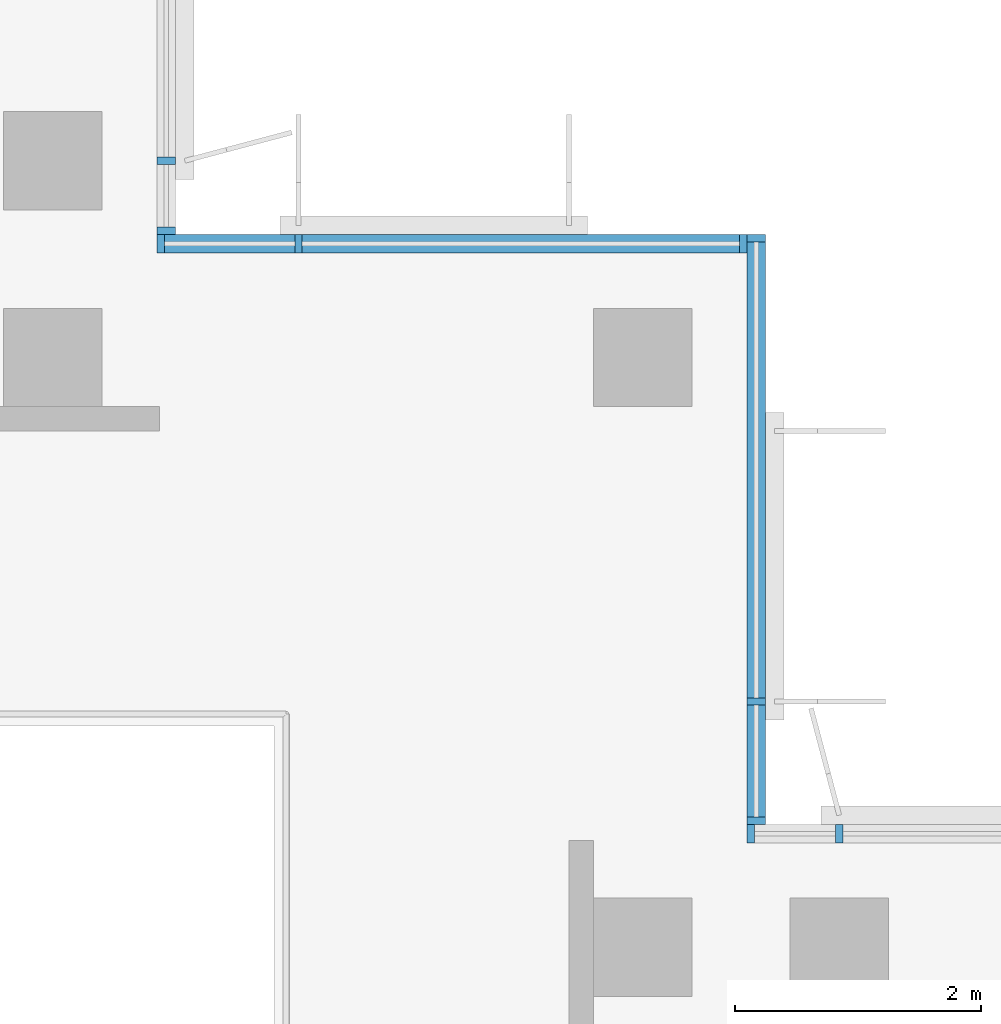
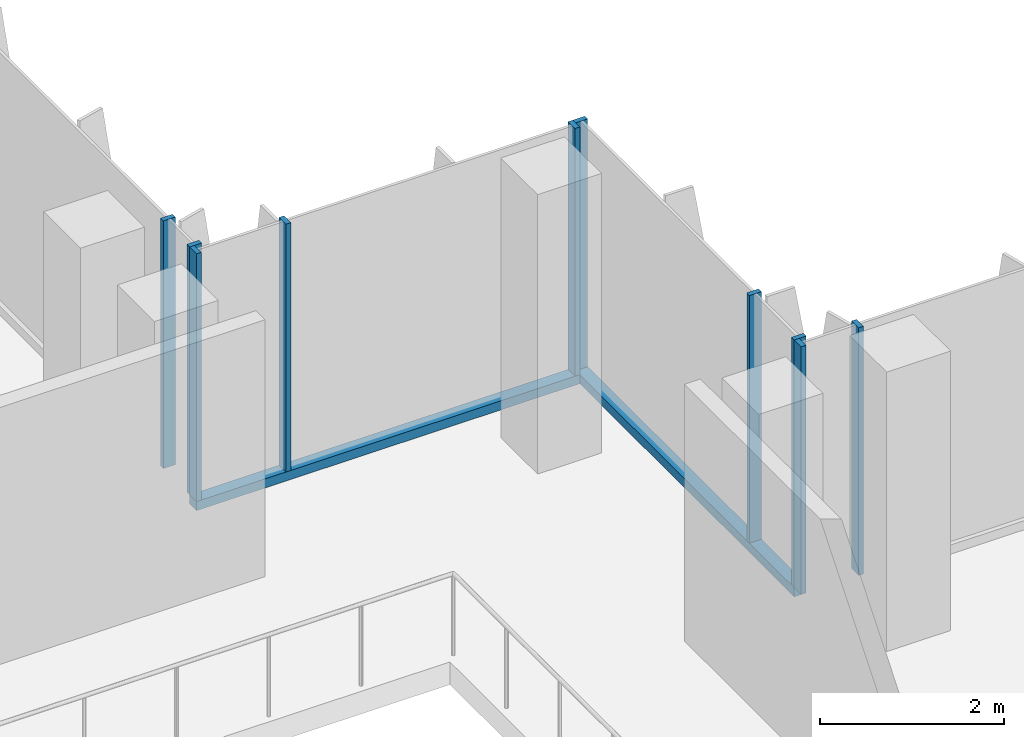
# One storey, part 2 of 15: 12 members, 4 elements without a shape of their own.
"""IFC4 building model written with IfcOpenShell, lengths in metres."""

from ifc_helpers import new_model, si_unit, direction, frame, origin, origin_2d, place, context, subcontext, project, spatial, rectangle, extrude, source, transform, mapped, material, material_profile, profile_set, type_object, element, aggregate, save


model = new_model("IFC4")

# Units and contexts
model_context = context("Model", 3, precision=1e-05, world=origin(), true_north=direction((0.0, 1.0)))
body_context = subcontext(model_context, "Body", "Model", "MODEL_VIEW")
ifc_project = project(units=[si_unit("LENGTHUNIT", "METRE"), si_unit("AREAUNIT", "SQUARE_METRE"), si_unit("VOLUMEUNIT", "CUBIC_METRE"), si_unit("PLANEANGLEUNIT", "RADIAN"), si_unit("MASSUNIT", "GRAM", prefix="KILO")], contexts=[model_context])

# Site, building, storey
site_placement = place(None, origin())
site = spatial("IfcSite", under=ifc_project, at=site_placement, CompositionType="ELEMENT")
building_placement = place(site_placement, origin())
building = spatial("IfcBuilding", under=site, at=building_placement, Name="Kemantara Hotel Tower", CompositionType="ELEMENT")
storey_placement = place(building_placement, frame((0.0, 0.0, 264.800048828125)))
storey = spatial("IfcBuildingStorey", under=building, at=storey_placement, Name="L66", CompositionType="ELEMENT", Elevation=264.800048828125)

# Curtain wall, member
ifc_material_1 = material(Name="Low-E tinted double insulated glass 36 mm", Category="glass")
curtain_wall_type = type_object("IfcCurtainWallType", Name="TOWER CURTAIN WALL, FRONT FACES", PredefinedType="USERDEFINED", material=ifc_material_1)
curtain_wall_1_placement = place(storey_placement, origin())
curtain_wall_1 = element("IfcCurtainWall", 1, at=curtain_wall_1_placement, inside=storey, type_object=curtain_wall_type, Name="CW4 L66 T4-R13-1", ObjectType="TOWER CURTAIN WALL, FRONT FACES", PredefinedType="USERDEFINED")
ifc_material_2 = material(Name="Aluminium 6063-T6 bronze anodised", Category="aluminium")
ifc_material_profile_1 = material_profile(ifc_material_2, rectangle(XDim=0.14990234375, YDim=0.1201171875, at=origin_2d()), Name="TOWER CURTAIN WALL, FRONT FACES TRANSOM")
ifc_profile_set_1 = profile_set([ifc_material_profile_1], Name="Aluminium 6063-T6 bronze anodised")
member_type_1 = type_object("IfcMemberType", Name="TOWER CURTAIN WALL, FRONT FACES TRANSOM", PredefinedType="USERDEFINED", material=ifc_profile_set_1)
member_1_placement = place(storey_placement, frame((26.72509765625, 22.0, 0.06005859375), z_axis=(0.0, 1.0, 0.0), x_axis=(-1.0, 0.0, 0.0)))
member_1 = element("IfcMember", 2, at=member_1_placement, type_object=member_type_1, Name="CW4 sill transom T4-R13-1", ObjectType="TRANSOM", PredefinedType="USERDEFINED", context=body_context, shape_type="SweptSolid", body=[
    extrude(rectangle(XDim=0.14990234375, YDim=0.1201171875, at=origin_2d()), origin(), (0.0, 0.0, 1.0), 4.800048828125),
])

curtain_wall_2_placement = place(storey_placement, origin())
curtain_wall_2 = element("IfcCurtainWall", 3, at=curtain_wall_2_placement, inside=storey, type_object=curtain_wall_type, Name="CW4 L66 T4-R14-1", ObjectType="TOWER CURTAIN WALL, FRONT FACES", PredefinedType="USERDEFINED")
member_2_placement = place(storey_placement, frame((26.64990234375, 26.72509765625, 0.06005859375), z_axis=(-1.0, 0.0, 0.0), x_axis=(0.0, -1.0, 0.0)))
member_2 = element("IfcMember", 4, at=member_2_placement, type_object=member_type_1, Name="CW4 sill transom T4-R14-1", ObjectType="TRANSOM", PredefinedType="USERDEFINED", context=body_context, shape_type="SweptSolid", body=[
    extrude(rectangle(XDim=0.14990234375, YDim=0.1201171875, at=origin_2d()), origin(), (0.0, 0.0, 1.0), 4.7998046875),
])

# Curtain wall, members
curtain_wall_3_placement = place(storey_placement, origin())
curtain_wall_3 = element("IfcCurtainWall", 5, at=curtain_wall_3_placement, inside=storey, type_object=curtain_wall_type, Name="CW4 L66 T4-R12-1", ObjectType="TOWER CURTAIN WALL, FRONT FACES", PredefinedType="USERDEFINED")
ifc_material_profile_2 = material_profile(ifc_material_2, rectangle(XDim=0.14990234375, YDim=0.06005859375, at=origin_2d()), Name="TOWER CURTAIN WALL, FRONT FACES MULLION")
ifc_profile_set_2 = profile_set([ifc_material_profile_2], Name="Aluminium 6063-T6 bronze anodised")
member_type_2 = type_object("IfcMemberType", Name="TOWER CURTAIN WALL, FRONT FACES MULLION", PredefinedType="MULLION", material=ifc_profile_set_2)
shared_shape = source(origin(), body_context, "Body", "SweptSolid", [
    extrude(rectangle(XDim=0.14990234375, YDim=0.06005859375, at=origin_2d()), origin(), (0.0, 0.0, 1.0), 3.280029296875),
])
member_3_placement = place(storey_placement, frame((27.39990234375, 21.925048828125, 0.119873046875), z_axis=(0.0, 0.0, 1.0), x_axis=(0.0, -1.0, 0.0)))
member_3 = element("IfcMember", 6, at=member_3_placement, type_object=member_type_2, Name="CW4 mullion T4-R12-1.5", PredefinedType="MULLION", context=body_context, shape_type="MappedRepresentation", body=[
    mapped(shared_shape, transform((0.0, 0.0, 0.0))),
])
member_4_placement = place(storey_placement, frame((26.679931640625, 21.925048828125, 0.119873046875), z_axis=(0.0, 0.0, 1.0), x_axis=(0.0, -1.0, 0.0)))
member_4 = element("IfcMember", 7, at=member_4_placement, type_object=member_type_2, Name="CW4 mullion T4-R12-1.6", PredefinedType="MULLION", context=body_context, shape_type="MappedRepresentation", body=[
    mapped(shared_shape, transform((0.0, 0.0, 0.0))),
])
aggregate(curtain_wall_3, [member_3, member_4])

# Member
member_5_placement = place(storey_placement, frame((26.72509765625, 22.030029296875, 0.119873046875), z_axis=(0.0, 0.0, 1.0), x_axis=(-1.0, 0.0, 0.0)))
member_5 = element("IfcMember", 8, at=member_5_placement, type_object=member_type_2, Name="CW4 mullion T4-R13-1.1", PredefinedType="MULLION", context=body_context, shape_type="MappedRepresentation", body=[
    mapped(shared_shape, transform((0.0, 0.0, 0.0))),
])

member_6_placement = place(storey_placement, frame((26.72509765625, 23.0, 0.119873046875), z_axis=(0.0, 0.0, 1.0), x_axis=(-1.0, 0.0, 0.0)))
member_6 = element("IfcMember", 9, at=member_6_placement, type_object=member_type_2, Name="CW4 mullion T4-R13-1.2", PredefinedType="MULLION", context=body_context, shape_type="MappedRepresentation", body=[
    mapped(shared_shape, transform((0.0, 0.0, 0.0))),
])

member_7_placement = place(storey_placement, frame((26.72509765625, 26.77001953125, 0.119873046875), z_axis=(0.0, 0.0, 1.0), x_axis=(-1.0, 0.0, 0.0)))
member_7 = element("IfcMember", 10, at=member_7_placement, type_object=member_type_2, Name="CW4 mullion T4-R13-1.3", PredefinedType="MULLION", context=body_context, shape_type="MappedRepresentation", body=[
    mapped(shared_shape, transform((0.0, 0.0, 0.0))),
])

aggregate(curtain_wall_1, [member_1, member_5, member_6, member_7])

member_8_placement = place(storey_placement, frame((26.6201171875, 26.72509765625, 0.119873046875), z_axis=(0.0, 0.0, 1.0), x_axis=(0.0, -1.0, 0.0)))
member_8 = element("IfcMember", 11, at=member_8_placement, type_object=member_type_2, Name="CW4 mullion T4-R14-1.1", PredefinedType="MULLION", context=body_context, shape_type="MappedRepresentation", body=[
    mapped(shared_shape, transform((0.0, 0.0, 0.0))),
])

member_9_placement = place(storey_placement, frame((23.0, 26.72509765625, 0.119873046875), z_axis=(0.0, 0.0, 1.0), x_axis=(0.0, -1.0, 0.0)))
member_9 = element("IfcMember", 12, at=member_9_placement, type_object=member_type_2, Name="CW4 mullion T4-R14-1.2", PredefinedType="MULLION", context=body_context, shape_type="MappedRepresentation", body=[
    mapped(shared_shape, transform((0.0, 0.0, 0.0))),
])

member_10_placement = place(storey_placement, frame((21.8798828125, 26.72509765625, 0.119873046875), z_axis=(0.0, 0.0, 1.0), x_axis=(0.0, -1.0, 0.0)))
member_10 = element("IfcMember", 13, at=member_10_placement, type_object=member_type_2, Name="CW4 mullion T4-R14-1.3", PredefinedType="MULLION", context=body_context, shape_type="MappedRepresentation", body=[
    mapped(shared_shape, transform((0.0, 0.0, 0.0))),
])

aggregate(curtain_wall_2, [member_2, member_8, member_9, member_10])

# Curtain wall, members
curtain_wall_4_placement = place(storey_placement, origin())
curtain_wall_4 = element("IfcCurtainWall", 14, at=curtain_wall_4_placement, inside=storey, type_object=curtain_wall_type, Name="CW4 L66 T4-R15-1", ObjectType="TOWER CURTAIN WALL, FRONT FACES", PredefinedType="USERDEFINED")
member_11_placement = place(storey_placement, frame((21.925048828125, 26.830078125, 0.119873046875), z_axis=(0.0, 0.0, 1.0), x_axis=(-1.0, 0.0, 0.0)))
member_11 = element("IfcMember", 15, at=member_11_placement, type_object=member_type_2, Name="CW4 mullion T4-R15-1.1", PredefinedType="MULLION", context=body_context, shape_type="MappedRepresentation", body=[
    mapped(shared_shape, transform((0.0, 0.0, 0.0))),
])
member_12_placement = place(storey_placement, frame((21.925048828125, 27.39990234375, 0.119873046875), z_axis=(0.0, 0.0, 1.0), x_axis=(-1.0, 0.0, 0.0)))
member_12 = element("IfcMember", 16, at=member_12_placement, type_object=member_type_2, Name="CW4 mullion T4-R15-1.2", PredefinedType="MULLION", context=body_context, shape_type="MappedRepresentation", body=[
    mapped(shared_shape, transform((0.0, 0.0, 0.0))),
])
aggregate(curtain_wall_4, [member_11, member_12])

save(model, "model.ifc")
